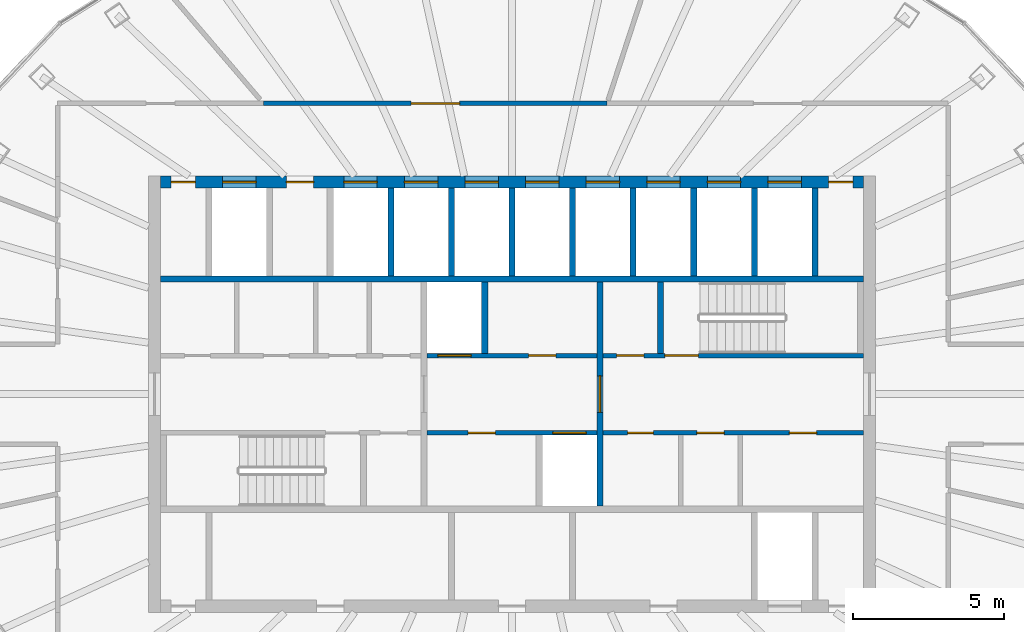
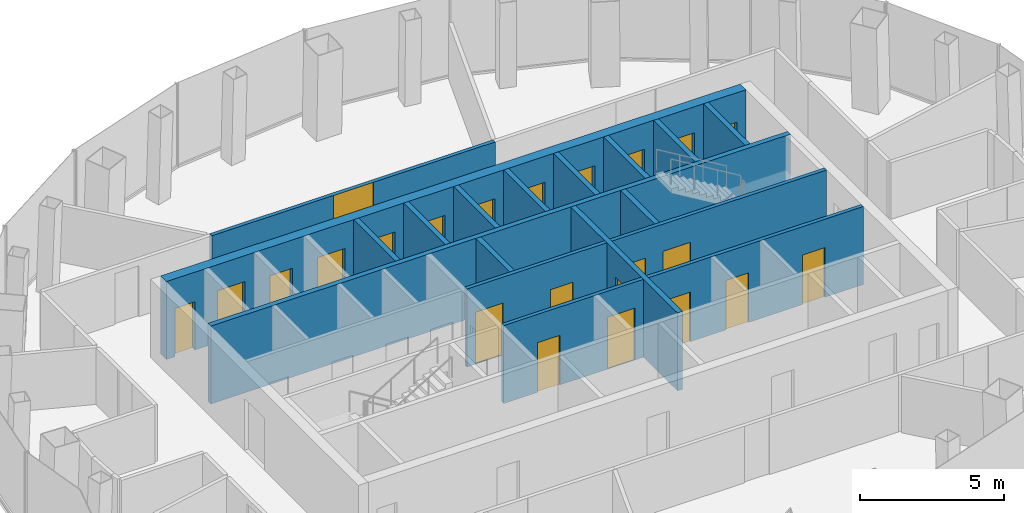
# One storey, part 9 of 11: 23 doors, 18 walls, 23 openings.
"""IFC4 building model written with IfcOpenShell, lengths in metres."""

import ifcopenshell
import ifcopenshell.guid

model = None  # the IFC model being written
_history = None  # IfcOwnerHistory: only IFC2X3 demands one
_inside = {}  # id of a spatial element -> (the spatial element, [elements in it])
_under = {}  # id of a project, library or spatial element -> (it, [spatial elements below it])
_declared = {}  # id of a project -> (the project, [libraries it declares])
_typed = {}  # id of a type object -> (the type object, [elements of that type])
_made_of = {}  # id of a material, layer set ... -> (it, [elements and type objects made of it])


def new_model(schema):
    """Start an empty IFC model of exactly this schema.

    Asked for "IFC4X3", IfcOpenShell would pick the latest addendum, in which some entities
    have other attributes; the version numbers below select the first issue.
    IFC2X3 requires an IfcOwnerHistory on every rooted entity: one is made here for all.
    """
    global model, _history
    if schema == "IFC4X3":
        model = ifcopenshell.file(schema_version=(4, 3, 0, 0))
    else:
        model = ifcopenshell.file(schema=schema)
    _inside.clear()
    _under.clear()
    _declared.clear()
    _typed.clear()
    _made_of.clear()
    _history = None
    if model.schema == "IFC2X3":
        org = make("IfcOrganization", Name="unknown")
        user = make(
            "IfcPersonAndOrganization",
            ThePerson=make("IfcPerson", FamilyName="unknown"),
            TheOrganization=org,
        )
        app = make(
            "IfcApplication",
            ApplicationDeveloper=org,
            Version="unknown",
            ApplicationFullName="unknown",
            ApplicationIdentifier="unknown",
        )
        _history = make(
            "IfcOwnerHistory",
            OwningUser=user,
            OwningApplication=app,
            ChangeAction="ADDED",
            CreationDate=0,
        )
    return model


def make(cls, **values):
    """One entity of the class cls with the attributes given. An attribute that is None is left unset."""
    return model.create_entity(
        cls, **{name: value for name, value in values.items() if value is not None}
    )


def rooted(cls, **values):
    """An entity with a GlobalId (a new one), such as an element, a storey or a relation."""
    return make(cls, GlobalId=ifcopenshell.guid.new(), OwnerHistory=_history, **values)


def si_unit(unit_type, name, prefix=None):
    """IfcSIUnit, for example si_unit("LENGTHUNIT", "METRE", prefix="MILLI")."""
    return make("IfcSIUnit", UnitType=unit_type, Prefix=prefix, Name=name)


def assignment(units):
    """IfcUnitAssignment: the units of a project."""
    return None if units is None else make("IfcUnitAssignment", Units=units)


def point(xyz):
    """IfcCartesianPoint."""
    return None if xyz is None else make("IfcCartesianPoint", Coordinates=xyz)


def direction(xyz):
    """IfcDirection."""
    return None if xyz is None else make("IfcDirection", DirectionRatios=xyz)


def frame(location, z_axis=None, x_axis=None):
    """IfcAxis2Placement3D, a coordinate frame: its origin and axes. An axis left out is left unset."""
    return make(
        "IfcAxis2Placement3D",
        Location=point(location),
        Axis=direction(z_axis),
        RefDirection=direction(x_axis),
    )


def frame_2d(location, x_axis=None):
    """IfcAxis2Placement2D, a coordinate frame in the plane: its origin and x axis."""
    return make(
        "IfcAxis2Placement2D", Location=point(location), RefDirection=direction(x_axis)
    )


def origin():
    """The frame at (0, 0, 0) with its axes left unset."""
    return frame((0.0, 0.0, 0.0))


def place(relative_to, where):
    """IfcLocalPlacement: puts the frame where relative to a parent placement (None: the world)."""
    return make(
        "IfcLocalPlacement", PlacementRelTo=relative_to, RelativePlacement=where
    )


def context(
    kind, dimensions, precision=None, world=None, true_north=None, identifier=None
):
    """IfcGeometricRepresentationContext, for example the 3D "Model" context."""
    return make(
        "IfcGeometricRepresentationContext",
        ContextIdentifier=identifier,
        ContextType=kind,
        CoordinateSpaceDimension=dimensions,
        Precision=precision,
        WorldCoordinateSystem=world,
        TrueNorth=true_north,
    )


def subcontext(parent, identifier, kind, view, scale=None):
    """IfcGeometricRepresentationSubContext, for example "Body" below "Model"."""
    return make(
        "IfcGeometricRepresentationSubContext",
        ContextIdentifier=identifier,
        ContextType=kind,
        ParentContext=parent,
        TargetScale=scale,
        TargetView=view,
    )


def project(units=None, contexts=None):
    """IfcProject with its units and contexts."""
    return rooted(
        "IfcProject",
        Name="project",
        RepresentationContexts=contexts,
        UnitsInContext=assignment(units),
    )


def spatial(cls, under=None, at=None, **own):
    """A site, building, storey or space (cls), placed at a placement, below another one or the project."""
    s = rooted(cls, ObjectPlacement=at, **own)
    if under is not None:
        _under.setdefault(under.id(), (under, []))[1].append(s)
    return s


def profile(cls, at=None, kind="AREA", **sizes):
    """A parametric profile (cls). Its sizes go by their IFC names, for example OverallWidth=200.0."""
    return make(cls, ProfileType=kind, Position=at, **sizes)


def rectangle(**sizes):
    """IfcRectangleProfileDef."""
    return profile("IfcRectangleProfileDef", **sizes)


def extrude(swept, where, along, depth):
    """IfcExtrudedAreaSolid: the profile swept, set in the frame where, extruded along a direction by depth."""
    return make(
        "IfcExtrudedAreaSolid",
        SweptArea=swept,
        Position=where,
        ExtrudedDirection=direction(along),
        Depth=depth,
    )


def shape(context_of_items, identifier, shape_type, items):
    """IfcShapeRepresentation: the items that make up one representation, for example the "Body"."""
    return make(
        "IfcShapeRepresentation",
        ContextOfItems=context_of_items,
        RepresentationIdentifier=identifier,
        RepresentationType=shape_type,
        Items=items,
    )


def material(Name=None, Category=None):
    """IfcMaterial."""
    return make("IfcMaterial", Name=Name, Category=Category)


def layer(
    of_material, thickness, ventilated=None, Name=None, Category=None, Priority=None
):
    """IfcMaterialLayer: one layer of a wall or slab, of a material (None: an air gap)."""
    return make(
        "IfcMaterialLayer",
        Material=of_material,
        LayerThickness=thickness,
        IsVentilated=ventilated,
        Name=Name,
        Category=Category,
        Priority=Priority,
    )


def layer_set(layers, Name=None):
    """IfcMaterialLayerSet."""
    return make("IfcMaterialLayerSet", MaterialLayers=layers, LayerSetName=Name)


def made_of(thing, what):
    """Note that an element or type object is made of a material, layer set ...; save() writes the relation."""
    if what is not None:
        _made_of.setdefault(what.id(), (what, []))[1].append(thing)
    return thing


def type_object(cls, material=None, **own):
    """A type object (cls), such as IfcWallType, which elements share."""
    return made_of(rooted(cls, **own), material)


def element(
    cls,
    number,
    at=None,
    inside=None,
    cuts=None,
    type_object=None,
    material=None,
    context=None,
    identifier="Body",
    shape_type=None,
    held_by="IfcProductDefinitionShape",
    body=None,
    shapes=None,
    **own,
):
    """One element of the class cls, such as IfcWall. Its Tag is "e" and its number.

    at: its placement. inside: the storey or other place that contains it. cuts: it is an
    opening in that element (IfcRelVoidsElement). A single representation is given by context,
    identifier, shape_type and body (its items); several are given by shapes. held_by: the class
    of the entity that holds the representations. save() writes the other relations.
    """
    e = rooted(cls, Tag="e%d" % number, ObjectPlacement=at, **own)
    if body is not None:
        shapes = [shape(context, identifier, shape_type, body)]
    if shapes is not None:
        e.Representation = make(held_by, Representations=shapes)
    if inside is not None:
        _inside.setdefault(inside.id(), (inside, []))[1].append(e)
    if cuts is not None:
        rooted(
            "IfcRelVoidsElement", RelatingBuildingElement=cuts, RelatedOpeningElement=e
        )
    if type_object is not None:
        _typed.setdefault(type_object.id(), (type_object, []))[1].append(e)
    return made_of(e, material)


def fill(opening, filler):
    """IfcRelFillsElement: the door or window that sits in an opening."""
    return rooted(
        "IfcRelFillsElement",
        RelatingOpeningElement=opening,
        RelatedBuildingElement=filler,
    )


def aggregate(whole, parts):
    """IfcRelAggregates: a whole, such as a stair, and the parts it consists of."""
    return rooted("IfcRelAggregates", RelatingObject=whole, RelatedObjects=parts)


def save(model, path):
    """Write the relations noted so far, then the file.

    IfcRelAggregates (storeys below a building ...), IfcRelContainedInSpatialStructure (elements
    in a storey), IfcRelDefinesByType, IfcRelAssociatesMaterial and IfcRelDeclares: one each for
    every whole, place, type object, material and project.
    """
    for whole, parts in _under.values():
        aggregate(whole, parts)
    for where, things in _inside.values():
        rooted(
            "IfcRelContainedInSpatialStructure",
            RelatedElements=things,
            RelatingStructure=where,
        )
    for kind, things in _typed.values():
        rooted("IfcRelDefinesByType", RelatedObjects=things, RelatingType=kind)
    for what, things in _made_of.values():
        rooted("IfcRelAssociatesMaterial", RelatedObjects=things, RelatingMaterial=what)
    for by, libraries in _declared.values():
        rooted("IfcRelDeclares", RelatingContext=by, RelatedDefinitions=libraries)
    model.write(path)


model = new_model("IFC4")

# Units and contexts
model_context = context("Model", 3, precision=1e-05, world=origin(), true_north=direction((0.0, 1.0)))
body_context = subcontext(model_context, "Body", "Model", "MODEL_VIEW")
ifc_project = project(units=[si_unit("LENGTHUNIT", "METRE"), si_unit("AREAUNIT", "SQUARE_METRE"), si_unit("VOLUMEUNIT", "CUBIC_METRE"), si_unit("PLANEANGLEUNIT", "RADIAN"), si_unit("MASSUNIT", "GRAM", prefix="KILO")], contexts=[model_context])

# Site, building, storey
site_placement = place(None, origin())
site = spatial("IfcSite", under=ifc_project, at=site_placement, CompositionType="ELEMENT")
building_placement = place(site_placement, origin())
building = spatial("IfcBuilding", under=site, at=building_placement, Name="Siaravel Broadcast Tower", CompositionType="ELEMENT")
storey_placement = place(building_placement, frame((0.0, 0.0, 246.699951171875)))
storey = spatial("IfcBuildingStorey", under=building, at=storey_placement, Name="L60", CompositionType="ELEMENT", Elevation=246.699951171875)

# Wall, openings, doors
ifc_material_1 = material(Name="Concrete C60/75", Category="concrete")
ifc_layer_1 = layer(ifc_material_1, 0.39990234375)
ifc_layer_set_1 = layer_set([ifc_layer_1], Name="Concrete C60/75")
wall_type_1 = type_object("IfcWallType", Name="Core wall 400", PredefinedType="SHEAR", material=ifc_layer_set_1)
wall_1_placement = place(storey_placement, frame((-11.60009765625, 7.0, 0.0), z_axis=(0.0, 0.0, 1.0), x_axis=(1.0, 0.0, 0.0)))
wall_1 = element("IfcWall", 1, at=wall_1_placement, inside=storey, type_object=wall_type_1, Name="L60 core wall ON", PredefinedType="SHEAR", context=body_context, shape_type="SweptSolid", body=[
    extrude(rectangle(XDim=23.2001953125, YDim=0.39990234375, at=frame_2d((11.60009765625, 0.0))), origin(), (0.0, 0.0, 1.0), 3.300048828125),
])
opening_1_placement = place(wall_1_placement, frame((2.050048828125, 0.0, 0.0)))
opening_1 = element("IfcOpeningElement", 2, at=opening_1_placement, cuts=wall_1, Name="Opening LD-SV2-L60", PredefinedType="OPENING", context=body_context, shape_type="SweptSolid", body=[
    extrude(rectangle(XDim=1.10009765625, YDim=2.199951171875, at=frame_2d((0.550048828125, 1.10009765625))), frame((0.0, 0.2099609375, 0.0), z_axis=(0.0, -1.0, 0.0), x_axis=(1.0, 0.0, 0.0)), (0.0, 0.0, 1.0), 0.419921875),
])
opening_2_placement = place(wall_1_placement, frame((6.050048828125, 0.0, 0.0)))
opening_2 = element("IfcOpeningElement", 3, at=opening_2_placement, cuts=wall_1, Name="Opening LD-HP1-L60", PredefinedType="OPENING", context=body_context, shape_type="SweptSolid", body=[
    extrude(rectangle(XDim=1.10009765625, YDim=2.199951171875, at=frame_2d((0.550048828125, 1.10009765625))), frame((0.0, 0.2099609375, 0.0), z_axis=(0.0, -1.0, 0.0), x_axis=(1.0, 0.0, 0.0)), (0.0, 0.0, 1.0), 0.419921875),
])
opening_3_placement = place(wall_1_placement, frame((8.050048828125, 0.0, 0.0)))
opening_3 = element("IfcOpeningElement", 4, at=opening_3_placement, cuts=wall_1, Name="Opening LD-HP2-L60", PredefinedType="OPENING", context=body_context, shape_type="SweptSolid", body=[
    extrude(rectangle(XDim=1.10009765625, YDim=2.199951171875, at=frame_2d((0.550048828125, 1.10009765625))), frame((0.0, 0.2099609375, 0.0), z_axis=(0.0, -1.0, 0.0), x_axis=(1.0, 0.0, 0.0)), (0.0, 0.0, 1.0), 0.419921875),
])
opening_4_placement = place(wall_1_placement, frame((10.050048828125, 0.0, 0.0)))
opening_4 = element("IfcOpeningElement", 5, at=opening_4_placement, cuts=wall_1, Name="Opening LD-HP3-L60", PredefinedType="OPENING", context=body_context, shape_type="SweptSolid", body=[
    extrude(rectangle(XDim=1.10009765625, YDim=2.199951171875, at=frame_2d((0.550048828125, 1.10009765625))), frame((0.0, 0.2099609375, 0.0), z_axis=(0.0, -1.0, 0.0), x_axis=(1.0, 0.0, 0.0)), (0.0, 0.0, 1.0), 0.419921875),
])
opening_5_placement = place(wall_1_placement, frame((12.050048828125, 0.0, 0.0)))
opening_5 = element("IfcOpeningElement", 6, at=opening_5_placement, cuts=wall_1, Name="Opening LD-HP4-L60", PredefinedType="OPENING", context=body_context, shape_type="SweptSolid", body=[
    extrude(rectangle(XDim=1.10009765625, YDim=2.199951171875, at=frame_2d((0.550048828125, 1.10009765625))), frame((0.0, 0.2099609375, 0.0), z_axis=(0.0, -1.0, 0.0), x_axis=(1.0, 0.0, 0.0)), (0.0, 0.0, 1.0), 0.419921875),
])
opening_6_placement = place(wall_1_placement, frame((14.050048828125, 0.0, 0.0)))
opening_6 = element("IfcOpeningElement", 7, at=opening_6_placement, cuts=wall_1, Name="Opening LD-HP5-L60", PredefinedType="OPENING", context=body_context, shape_type="SweptSolid", body=[
    extrude(rectangle(XDim=1.10009765625, YDim=2.199951171875, at=frame_2d((0.550048828125, 1.10009765625))), frame((0.0, 0.2099609375, 0.0), z_axis=(0.0, -1.0, 0.0), x_axis=(1.0, 0.0, 0.0)), (0.0, 0.0, 1.0), 0.419921875),
])
opening_7_placement = place(wall_1_placement, frame((16.050048828125, 0.0, 0.0)))
opening_7 = element("IfcOpeningElement", 8, at=opening_7_placement, cuts=wall_1, Name="Opening LD-HP6-L60", PredefinedType="OPENING", context=body_context, shape_type="SweptSolid", body=[
    extrude(rectangle(XDim=1.10009765625, YDim=2.199951171875, at=frame_2d((0.550048828125, 1.10009765625))), frame((0.0, 0.2099609375, 0.0), z_axis=(0.0, -1.0, 0.0), x_axis=(1.0, 0.0, 0.0)), (0.0, 0.0, 1.0), 0.419921875),
])
opening_8_placement = place(wall_1_placement, frame((18.050048828125, 0.0, 0.0)))
opening_8 = element("IfcOpeningElement", 9, at=opening_8_placement, cuts=wall_1, Name="Opening LD-HP7-L60", PredefinedType="OPENING", context=body_context, shape_type="SweptSolid", body=[
    extrude(rectangle(XDim=1.10009765625, YDim=2.199951171875, at=frame_2d((0.550048828125, 1.10009765625))), frame((0.0, 0.2099609375, 0.0), z_axis=(0.0, -1.0, 0.0), x_axis=(1.0, 0.0, 0.0)), (0.0, 0.0, 1.0), 0.419921875),
])
opening_9_placement = place(wall_1_placement, frame((20.050048828125, 0.0, 0.0)))
opening_9 = element("IfcOpeningElement", 10, at=opening_9_placement, cuts=wall_1, Name="Opening LD-HP8-L60", PredefinedType="OPENING", context=body_context, shape_type="SweptSolid", body=[
    extrude(rectangle(XDim=1.10009765625, YDim=2.199951171875, at=frame_2d((0.550048828125, 1.10009765625))), frame((0.0, 0.2099609375, 0.0), z_axis=(0.0, -1.0, 0.0), x_axis=(1.0, 0.0, 0.0)), (0.0, 0.0, 1.0), 0.419921875),
])
opening_10_placement = place(wall_1_placement, frame((4.14990234375, 0.0, 0.0)))
opening_10 = element("IfcOpeningElement", 11, at=opening_10_placement, cuts=wall_1, Name="Opening L60-DFN1", PredefinedType="OPENING", context=body_context, shape_type="SweptSolid", body=[
    extrude(rectangle(XDim=0.89990234375, YDim=2.10009765625, at=frame_2d((0.449951171875, 1.050048828125))), frame((0.0, 0.2099609375, 0.0), z_axis=(0.0, -1.0, 0.0), x_axis=(1.0, 0.0, 0.0)), (0.0, 0.0, 1.0), 0.419921875),
])
opening_11_placement = place(wall_1_placement, frame((0.35009765625, 0.0, 0.0)))
opening_11 = element("IfcOpeningElement", 12, at=opening_11_placement, cuts=wall_1, Name="Opening L60-DRNW", PredefinedType="OPENING", context=body_context, shape_type="SweptSolid", body=[
    extrude(rectangle(XDim=0.800048828125, YDim=2.050048828125, at=frame_2d((0.39990234375, 1.02490234375))), frame((0.0, 0.2099609375, 0.0), z_axis=(0.0, -1.0, 0.0), x_axis=(1.0, 0.0, 0.0)), (0.0, 0.0, 1.0), 0.419921875),
])
opening_12_placement = place(wall_1_placement, frame((22.050048828125, 0.0, 0.0)))
opening_12 = element("IfcOpeningElement", 13, at=opening_12_placement, cuts=wall_1, Name="Opening L60-DRNE", PredefinedType="OPENING", context=body_context, shape_type="SweptSolid", body=[
    extrude(rectangle(XDim=0.800048828125, YDim=2.050048828125, at=frame_2d((0.39990234375, 1.02490234375))), frame((0.0, 0.2099609375, 0.0), z_axis=(0.0, -1.0, 0.0), x_axis=(1.0, 0.0, 0.0)), (0.0, 0.0, 1.0), 0.419921875),
])
ifc_material_2 = material(Name="Timber veneer", Category="wood")
door_type_1 = type_object("IfcDoorType", Name="Core room door 900", OperationType="SINGLE_SWING_LEFT", PredefinedType="DOOR", material=ifc_material_2)
door_1_placement = place(opening_10_placement, origin())
door_1 = element("IfcDoor", 14, at=door_1_placement, inside=storey, type_object=door_type_1, Name="L60 door DFN1", OperationType="SINGLE_SWING_LEFT", OverallHeight=2.10009765625, OverallWidth=0.89990234375, PredefinedType="DOOR", context=body_context, shape_type="SweptSolid", body=[
    extrude(rectangle(XDim=0.89990234375, YDim=2.10009765625, at=frame_2d((0.449951171875, 1.050048828125))), frame((0.0, 0.02490234375, 0.0), z_axis=(0.0, -1.0, 0.0), x_axis=(1.0, 0.0, 0.0)), (0.0, 0.0, 1.0), 0.050048828125),
])
fill(opening_10, door_1)
ifc_material_3 = material(Name="Stainless steel 316L", Category="steel")
door_type_2 = type_object("IfcDoorType", Name="Lift landing door 1100", OperationType="DOUBLE_DOOR_SLIDING", PredefinedType="DOOR", material=ifc_material_3)
door_2_placement = place(opening_2_placement, origin())
door_2 = element("IfcDoor", 15, at=door_2_placement, inside=storey, type_object=door_type_2, Name="Landing door HP1 L60", OperationType="DOUBLE_DOOR_SLIDING", OverallHeight=2.199951171875, OverallWidth=1.10009765625, PredefinedType="DOOR", context=body_context, shape_type="SweptSolid", body=[
    extrude(rectangle(XDim=1.10009765625, YDim=2.199951171875, at=frame_2d((0.550048828125, 1.10009765625))), frame((0.0, 0.02490234375, 0.0), z_axis=(0.0, -1.0, 0.0), x_axis=(1.0, 0.0, 0.0)), (0.0, 0.0, 1.0), 0.050048828125),
])
fill(opening_2, door_2)
door_3_placement = place(opening_3_placement, origin())
door_3 = element("IfcDoor", 16, at=door_3_placement, inside=storey, type_object=door_type_2, Name="Landing door HP2 L60", OperationType="DOUBLE_DOOR_SLIDING", OverallHeight=2.199951171875, OverallWidth=1.10009765625, PredefinedType="DOOR", context=body_context, shape_type="SweptSolid", body=[
    extrude(rectangle(XDim=1.10009765625, YDim=2.199951171875, at=frame_2d((0.550048828125, 1.10009765625))), frame((0.0, 0.02490234375, 0.0), z_axis=(0.0, -1.0, 0.0), x_axis=(1.0, 0.0, 0.0)), (0.0, 0.0, 1.0), 0.050048828125),
])
fill(opening_3, door_3)
door_4_placement = place(opening_4_placement, origin())
door_4 = element("IfcDoor", 17, at=door_4_placement, inside=storey, type_object=door_type_2, Name="Landing door HP3 L60", OperationType="DOUBLE_DOOR_SLIDING", OverallHeight=2.199951171875, OverallWidth=1.10009765625, PredefinedType="DOOR", context=body_context, shape_type="SweptSolid", body=[
    extrude(rectangle(XDim=1.10009765625, YDim=2.199951171875, at=frame_2d((0.550048828125, 1.10009765625))), frame((0.0, 0.02490234375, 0.0), z_axis=(0.0, -1.0, 0.0), x_axis=(1.0, 0.0, 0.0)), (0.0, 0.0, 1.0), 0.050048828125),
])
fill(opening_4, door_4)
door_5_placement = place(opening_5_placement, origin())
door_5 = element("IfcDoor", 18, at=door_5_placement, inside=storey, type_object=door_type_2, Name="Landing door HP4 L60", OperationType="DOUBLE_DOOR_SLIDING", OverallHeight=2.199951171875, OverallWidth=1.10009765625, PredefinedType="DOOR", context=body_context, shape_type="SweptSolid", body=[
    extrude(rectangle(XDim=1.10009765625, YDim=2.199951171875, at=frame_2d((0.550048828125, 1.10009765625))), frame((0.0, 0.02490234375, 0.0), z_axis=(0.0, -1.0, 0.0), x_axis=(1.0, 0.0, 0.0)), (0.0, 0.0, 1.0), 0.050048828125),
])
fill(opening_5, door_5)
door_6_placement = place(opening_6_placement, origin())
door_6 = element("IfcDoor", 19, at=door_6_placement, inside=storey, type_object=door_type_2, Name="Landing door HP5 L60", OperationType="DOUBLE_DOOR_SLIDING", OverallHeight=2.199951171875, OverallWidth=1.10009765625, PredefinedType="DOOR", context=body_context, shape_type="SweptSolid", body=[
    extrude(rectangle(XDim=1.10009765625, YDim=2.199951171875, at=frame_2d((0.550048828125, 1.10009765625))), frame((0.0, 0.02490234375, 0.0), z_axis=(0.0, -1.0, 0.0), x_axis=(1.0, 0.0, 0.0)), (0.0, 0.0, 1.0), 0.050048828125),
])
fill(opening_6, door_6)
door_7_placement = place(opening_7_placement, origin())
door_7 = element("IfcDoor", 20, at=door_7_placement, inside=storey, type_object=door_type_2, Name="Landing door HP6 L60", OperationType="DOUBLE_DOOR_SLIDING", OverallHeight=2.199951171875, OverallWidth=1.10009765625, PredefinedType="DOOR", context=body_context, shape_type="SweptSolid", body=[
    extrude(rectangle(XDim=1.10009765625, YDim=2.199951171875, at=frame_2d((0.550048828125, 1.10009765625))), frame((0.0, 0.02490234375, 0.0), z_axis=(0.0, -1.0, 0.0), x_axis=(1.0, 0.0, 0.0)), (0.0, 0.0, 1.0), 0.050048828125),
])
fill(opening_7, door_7)
door_8_placement = place(opening_8_placement, origin())
door_8 = element("IfcDoor", 21, at=door_8_placement, inside=storey, type_object=door_type_2, Name="Landing door HP7 L60", OperationType="DOUBLE_DOOR_SLIDING", OverallHeight=2.199951171875, OverallWidth=1.10009765625, PredefinedType="DOOR", context=body_context, shape_type="SweptSolid", body=[
    extrude(rectangle(XDim=1.10009765625, YDim=2.199951171875, at=frame_2d((0.550048828125, 1.10009765625))), frame((0.0, 0.02490234375, 0.0), z_axis=(0.0, -1.0, 0.0), x_axis=(1.0, 0.0, 0.0)), (0.0, 0.0, 1.0), 0.050048828125),
])
fill(opening_8, door_8)
door_9_placement = place(opening_9_placement, origin())
door_9 = element("IfcDoor", 22, at=door_9_placement, inside=storey, type_object=door_type_2, Name="Landing door HP8 L60", OperationType="DOUBLE_DOOR_SLIDING", OverallHeight=2.199951171875, OverallWidth=1.10009765625, PredefinedType="DOOR", context=body_context, shape_type="SweptSolid", body=[
    extrude(rectangle(XDim=1.10009765625, YDim=2.199951171875, at=frame_2d((0.550048828125, 1.10009765625))), frame((0.0, 0.02490234375, 0.0), z_axis=(0.0, -1.0, 0.0), x_axis=(1.0, 0.0, 0.0)), (0.0, 0.0, 1.0), 0.050048828125),
])
fill(opening_9, door_9)
ifc_material_4 = material(Name="Steel", Category="steel")
door_type_3 = type_object("IfcDoorType", Name="Riser door 800", OperationType="SINGLE_SWING_LEFT", PredefinedType="DOOR", material=ifc_material_4)
door_10_placement = place(opening_11_placement, origin())
door_10 = element("IfcDoor", 23, at=door_10_placement, inside=storey, type_object=door_type_3, Name="L60 door DRNW", OperationType="SINGLE_SWING_LEFT", OverallHeight=2.050048828125, OverallWidth=0.800048828125, PredefinedType="DOOR", context=body_context, shape_type="SweptSolid", body=[
    extrude(rectangle(XDim=0.800048828125, YDim=2.050048828125, at=frame_2d((0.39990234375, 1.02490234375))), frame((0.0, 0.02490234375, 0.0), z_axis=(0.0, -1.0, 0.0), x_axis=(1.0, 0.0, 0.0)), (0.0, 0.0, 1.0), 0.050048828125),
])
fill(opening_11, door_10)
door_11_placement = place(opening_12_placement, origin())
door_11 = element("IfcDoor", 24, at=door_11_placement, inside=storey, type_object=door_type_3, Name="L60 door DRNE", OperationType="SINGLE_SWING_LEFT", OverallHeight=2.050048828125, OverallWidth=0.800048828125, PredefinedType="DOOR", context=body_context, shape_type="SweptSolid", body=[
    extrude(rectangle(XDim=0.800048828125, YDim=2.050048828125, at=frame_2d((0.39990234375, 1.02490234375))), frame((0.0, 0.02490234375, 0.0), z_axis=(0.0, -1.0, 0.0), x_axis=(1.0, 0.0, 0.0)), (0.0, 0.0, 1.0), 0.050048828125),
])
fill(opening_12, door_11)
door_type_4 = type_object("IfcDoorType", Name="Service lift landing door 1100", OperationType="DOUBLE_DOOR_SLIDING", PredefinedType="DOOR", material=ifc_material_3)
door_12_placement = place(opening_1_placement, origin())
door_12 = element("IfcDoor", 25, at=door_12_placement, inside=storey, type_object=door_type_4, Name="Landing door SV2 L60", OperationType="DOUBLE_DOOR_SLIDING", OverallHeight=2.199951171875, OverallWidth=1.10009765625, PredefinedType="DOOR", context=body_context, shape_type="SweptSolid", body=[
    extrude(rectangle(XDim=1.10009765625, YDim=2.199951171875, at=frame_2d((0.550048828125, 1.10009765625))), frame((0.0, 0.02490234375, 0.0), z_axis=(0.0, -1.0, 0.0), x_axis=(1.0, 0.0, 0.0)), (0.0, 0.0, 1.0), 0.050048828125),
])
fill(opening_1, door_12)

ifc_material_5 = material(Name="Gypsum board partition", Category="gypsum")
ifc_layer_2 = layer(ifc_material_5, 0.14990234375)
ifc_layer_set_2 = layer_set([ifc_layer_2], Name="Gypsum board partition")
wall_type_2 = type_object("IfcWallType", Name="Corridor wall 150", PredefinedType="PARTITIONING", material=ifc_layer_set_2)
wall_2_placement = place(storey_placement, frame((3.0, -1.27490234375, 0.0), z_axis=(0.0, 0.0, 1.0), x_axis=(1.0, 0.0, 0.0)))
wall_2 = element("IfcWall", 26, at=wall_2_placement, inside=storey, type_object=wall_type_2, Name="L60 core partition CSE", PredefinedType="PARTITIONING", context=body_context, shape_type="SweptSolid", body=[
    extrude(rectangle(XDim=8.60009765625, YDim=0.14990234375, at=frame_2d((4.300048828125, 0.0))), origin(), (0.0, 0.0, 1.0), 3.300048828125),
])
opening_13_placement = place(wall_2_placement, frame((0.820068359375, 0.0, 0.0)))
opening_13 = element("IfcOpeningElement", 27, at=opening_13_placement, cuts=wall_2, Name="Opening L60-DSE0", PredefinedType="OPENING", context=body_context, shape_type="SweptSolid", body=[
    extrude(rectangle(XDim=0.85009765625, YDim=2.10009765625, at=frame_2d((0.425048828125, 1.050048828125))), frame((0.0, 0.0849609375, 0.0), z_axis=(0.0, -1.0, 0.0), x_axis=(1.0, 0.0, 0.0)), (0.0, 0.0, 1.0), 0.169921875),
])
opening_14_placement = place(wall_2_placement, frame((3.10302734375, 0.0, 0.0)))
opening_14 = element("IfcOpeningElement", 28, at=opening_14_placement, cuts=wall_2, Name="Opening L60-DSE1", PredefinedType="OPENING", context=body_context, shape_type="SweptSolid", body=[
    extrude(rectangle(XDim=0.89990234375, YDim=2.10009765625, at=frame_2d((0.449951171875, 1.050048828125))), frame((0.0, 0.0849609375, 0.0), z_axis=(0.0, -1.0, 0.0), x_axis=(1.0, 0.0, 0.0)), (0.0, 0.0, 1.0), 0.169921875),
])
opening_15_placement = place(wall_2_placement, frame((6.157958984375, 0.0, 0.0)))
opening_15 = element("IfcOpeningElement", 29, at=opening_15_placement, cuts=wall_2, Name="Opening L60-DSE2", PredefinedType="OPENING", context=body_context, shape_type="SweptSolid", body=[
    extrude(rectangle(XDim=0.89990234375, YDim=2.10009765625, at=frame_2d((0.449951171875, 1.050048828125))), frame((0.0, 0.0849609375, 0.0), z_axis=(0.0, -1.0, 0.0), x_axis=(1.0, 0.0, 0.0)), (0.0, 0.0, 1.0), 0.169921875),
])
door_13_placement = place(opening_14_placement, origin())
door_13 = element("IfcDoor", 30, at=door_13_placement, inside=storey, type_object=door_type_1, Name="L60 door DSE1", OperationType="SINGLE_SWING_LEFT", OverallHeight=2.10009765625, OverallWidth=0.89990234375, PredefinedType="DOOR", context=body_context, shape_type="SweptSolid", body=[
    extrude(rectangle(XDim=0.89990234375, YDim=2.10009765625, at=frame_2d((0.449951171875, 1.050048828125))), frame((0.0, 0.02490234375, 0.0), z_axis=(0.0, -1.0, 0.0), x_axis=(1.0, 0.0, 0.0)), (0.0, 0.0, 1.0), 0.050048828125),
])
fill(opening_14, door_13)
door_14_placement = place(opening_15_placement, origin())
door_14 = element("IfcDoor", 31, at=door_14_placement, inside=storey, type_object=door_type_1, Name="L60 door DSE2", OperationType="SINGLE_SWING_LEFT", OverallHeight=2.10009765625, OverallWidth=0.89990234375, PredefinedType="DOOR", context=body_context, shape_type="SweptSolid", body=[
    extrude(rectangle(XDim=0.89990234375, YDim=2.10009765625, at=frame_2d((0.449951171875, 1.050048828125))), frame((0.0, 0.02490234375, 0.0), z_axis=(0.0, -1.0, 0.0), x_axis=(1.0, 0.0, 0.0)), (0.0, 0.0, 1.0), 0.050048828125),
])
fill(opening_15, door_14)
door_type_5 = type_object("IfcDoorType", Name="Core toilet door 850", OperationType="SINGLE_SWING_LEFT", PredefinedType="DOOR", material=ifc_material_2)
door_15_placement = place(opening_13_placement, origin())
door_15 = element("IfcDoor", 32, at=door_15_placement, inside=storey, type_object=door_type_5, Name="L60 door DSE0", OperationType="SINGLE_SWING_LEFT", OverallHeight=2.10009765625, OverallWidth=0.85009765625, PredefinedType="DOOR", context=body_context, shape_type="SweptSolid", body=[
    extrude(rectangle(XDim=0.85009765625, YDim=2.10009765625, at=frame_2d((0.425048828125, 1.050048828125))), frame((0.0, 0.02490234375, 0.0), z_axis=(0.0, -1.0, 0.0), x_axis=(1.0, 0.0, 0.0)), (0.0, 0.0, 1.0), 0.050048828125),
])
fill(opening_13, door_15)

# Wall, opening, door
wall_3_placement = place(storey_placement, frame((3.140380859375, 9.60009765625, 0.0), z_axis=(0.0, 0.0, 1.0), x_axis=(-1.0, 0.0, 0.0)))
wall_3 = element("IfcWall", 33, at=wall_3_placement, inside=storey, type_object=wall_type_2, Name="L60 partition 2", PredefinedType="PARTITIONING", context=body_context, shape_type="SweptSolid", body=[
    extrude(rectangle(XDim=11.346923828125, YDim=0.14990234375, at=frame_2d((5.67333984375, 0.0))), origin(), (0.0, 0.0, 1.0), 2.400146484375),
])
opening_16_placement = place(wall_3_placement, frame((4.873291015625, 0.0, 0.0)))
opening_16 = element("IfcOpeningElement", 34, at=opening_16_placement, cuts=wall_3, Name="Opening L60-008", PredefinedType="OPENING", context=body_context, shape_type="SweptSolid", body=[
    extrude(rectangle(XDim=1.60009765625, YDim=2.39990234375, at=frame_2d((0.800048828125, 1.199951171875))), frame((0.0, 0.0849609375, 0.0), z_axis=(0.0, -1.0, 0.0), x_axis=(1.0, 0.0, 0.0)), (0.0, 0.0, 1.0), 0.169921875),
])
door_type_6 = type_object("IfcDoorType", Name="Restaurant double door 1600", OperationType="DOUBLE_DOOR_SINGLE_SWING", PredefinedType="DOOR", material=ifc_material_2)
door_16_placement = place(opening_16_placement, origin())
door_16 = element("IfcDoor", 35, at=door_16_placement, inside=storey, type_object=door_type_6, Name="L60 door to Restaurant", OperationType="DOUBLE_DOOR_SINGLE_SWING", OverallHeight=2.39990234375, OverallWidth=1.60009765625, PredefinedType="DOOR", context=body_context, shape_type="SweptSolid", body=[
    extrude(rectangle(XDim=1.60009765625, YDim=2.39990234375, at=frame_2d((0.800048828125, 1.199951171875))), frame((0.0, 0.02490234375, 0.0), z_axis=(0.0, -1.0, 0.0), x_axis=(1.0, 0.0, 0.0)), (0.0, 0.0, 1.0), 0.050048828125),
])
fill(opening_16, door_16)

# Wall, openings, doors
ifc_layer_3 = layer(ifc_material_1, 0.14990234375)
ifc_layer_set_3 = layer_set([ifc_layer_3], Name="Concrete C60/75")
wall_type_3 = type_object("IfcWallType", Name="Shaft wall 150", PredefinedType="SHEAR", material=ifc_layer_set_3)
wall_4_placement = place(storey_placement, frame((-2.800048828125, -1.27490234375, 0.0), z_axis=(0.0, 0.0, 1.0), x_axis=(1.0, 0.0, 0.0)))
wall_4 = element("IfcWall", 36, at=wall_4_placement, inside=storey, type_object=wall_type_3, Name="L60 core wall CSM", PredefinedType="SHEAR", context=body_context, shape_type="SweptSolid", body=[
    extrude(rectangle(XDim=5.60009765625, YDim=0.14990234375, at=frame_2d((2.800048828125, 0.0))), origin(), (0.0, 0.0, 1.0), 3.300048828125),
])
opening_17_placement = place(wall_4_placement, frame((4.14990234375, 0.0, 0.0)))
opening_17 = element("IfcOpeningElement", 37, at=opening_17_placement, cuts=wall_4, Name="Opening LD-FL2-L60", PredefinedType="OPENING", context=body_context, shape_type="SweptSolid", body=[
    extrude(rectangle(XDim=1.10009765625, YDim=2.199951171875, at=frame_2d((0.550048828125, 1.10009765625))), frame((0.0, 0.0849609375, 0.0), z_axis=(0.0, -1.0, 0.0), x_axis=(1.0, 0.0, 0.0)), (0.0, 0.0, 1.0), 0.169921875),
])
opening_18_placement = place(wall_4_placement, frame((1.35009765625, 0.0, 0.0)))
opening_18 = element("IfcOpeningElement", 38, at=opening_18_placement, cuts=wall_4, Name="Opening L60-DSM0", PredefinedType="OPENING", context=body_context, shape_type="SweptSolid", body=[
    extrude(rectangle(XDim=0.89990234375, YDim=2.10009765625, at=frame_2d((0.449951171875, 1.050048828125))), frame((0.0, 0.0849609375, 0.0), z_axis=(0.0, -1.0, 0.0), x_axis=(1.0, 0.0, 0.0)), (0.0, 0.0, 1.0), 0.169921875),
])
door_17_placement = place(opening_18_placement, origin())
door_17 = element("IfcDoor", 39, at=door_17_placement, inside=storey, type_object=door_type_1, Name="L60 door DSM0", OperationType="SINGLE_SWING_LEFT", OverallHeight=2.10009765625, OverallWidth=0.89990234375, PredefinedType="DOOR", context=body_context, shape_type="SweptSolid", body=[
    extrude(rectangle(XDim=0.89990234375, YDim=2.10009765625, at=frame_2d((0.449951171875, 1.050048828125))), frame((0.0, 0.02490234375, 0.0), z_axis=(0.0, -1.0, 0.0), x_axis=(1.0, 0.0, 0.0)), (0.0, 0.0, 1.0), 0.050048828125),
])
fill(opening_18, door_17)
door_type_7 = type_object("IfcDoorType", Name="Firefighting lift landing door 1100", OperationType="DOUBLE_DOOR_SLIDING", PredefinedType="DOOR", material=ifc_material_3)
door_18_placement = place(opening_17_placement, origin())
door_18 = element("IfcDoor", 40, at=door_18_placement, inside=storey, type_object=door_type_7, Name="Landing door FL2 L60", OperationType="DOUBLE_DOOR_SLIDING", OverallHeight=2.199951171875, OverallWidth=1.10009765625, PredefinedType="DOOR", context=body_context, shape_type="SweptSolid", body=[
    extrude(rectangle(XDim=1.10009765625, YDim=2.199951171875, at=frame_2d((0.550048828125, 1.10009765625))), frame((0.0, 0.02490234375, 0.0), z_axis=(0.0, -1.0, 0.0), x_axis=(1.0, 0.0, 0.0)), (0.0, 0.0, 1.0), 0.050048828125),
])
fill(opening_17, door_18)

wall_5_placement = place(storey_placement, frame((-2.800048828125, 1.27490234375, 0.0), z_axis=(0.0, 0.0, 1.0), x_axis=(1.0, 0.0, 0.0)))
wall_5 = element("IfcWall", 41, at=wall_5_placement, inside=storey, type_object=wall_type_3, Name="L60 core wall CNM", PredefinedType="SHEAR", context=body_context, shape_type="SweptSolid", body=[
    extrude(rectangle(XDim=5.60009765625, YDim=0.14990234375, at=frame_2d((2.800048828125, 0.0))), origin(), (0.0, 0.0, 1.0), 3.300048828125),
])
opening_19_placement = place(wall_5_placement, frame((0.35009765625, 0.0, 0.0)))
opening_19 = element("IfcOpeningElement", 42, at=opening_19_placement, cuts=wall_5, Name="Opening LD-FL1-L60", PredefinedType="OPENING", context=body_context, shape_type="SweptSolid", body=[
    extrude(rectangle(XDim=1.10009765625, YDim=2.199951171875, at=frame_2d((0.550048828125, 1.10009765625))), frame((0.0, 0.0849609375, 0.0), z_axis=(0.0, -1.0, 0.0), x_axis=(1.0, 0.0, 0.0)), (0.0, 0.0, 1.0), 0.169921875),
])
opening_20_placement = place(wall_5_placement, frame((3.35009765625, 0.0, 0.0)))
opening_20 = element("IfcOpeningElement", 43, at=opening_20_placement, cuts=wall_5, Name="Opening L60-DNM0", PredefinedType="OPENING", context=body_context, shape_type="SweptSolid", body=[
    extrude(rectangle(XDim=0.89990234375, YDim=2.10009765625, at=frame_2d((0.449951171875, 1.050048828125))), frame((0.0, 0.0849609375, 0.0), z_axis=(0.0, -1.0, 0.0), x_axis=(1.0, 0.0, 0.0)), (0.0, 0.0, 1.0), 0.169921875),
])
door_19_placement = place(opening_20_placement, origin())
door_19 = element("IfcDoor", 44, at=door_19_placement, inside=storey, type_object=door_type_1, Name="L60 door DNM0", OperationType="SINGLE_SWING_LEFT", OverallHeight=2.10009765625, OverallWidth=0.89990234375, PredefinedType="DOOR", context=body_context, shape_type="SweptSolid", body=[
    extrude(rectangle(XDim=0.89990234375, YDim=2.10009765625, at=frame_2d((0.449951171875, 1.050048828125))), frame((0.0, 0.02490234375, 0.0), z_axis=(0.0, -1.0, 0.0), x_axis=(1.0, 0.0, 0.0)), (0.0, 0.0, 1.0), 0.050048828125),
])
fill(opening_20, door_19)
door_20_placement = place(opening_19_placement, origin())
door_20 = element("IfcDoor", 45, at=door_20_placement, inside=storey, type_object=door_type_7, Name="Landing door FL1 L60", OperationType="DOUBLE_DOOR_SLIDING", OverallHeight=2.199951171875, OverallWidth=1.10009765625, PredefinedType="DOOR", context=body_context, shape_type="SweptSolid", body=[
    extrude(rectangle(XDim=1.10009765625, YDim=2.199951171875, at=frame_2d((0.550048828125, 1.10009765625))), frame((0.0, 0.02490234375, 0.0), z_axis=(0.0, -1.0, 0.0), x_axis=(1.0, 0.0, 0.0)), (0.0, 0.0, 1.0), 0.050048828125),
])
fill(opening_19, door_20)

wall_6_placement = place(storey_placement, frame((3.0, 1.27490234375, 0.0), z_axis=(0.0, 0.0, 1.0), x_axis=(1.0, 0.0, 0.0)))
wall_6 = element("IfcWall", 46, at=wall_6_placement, inside=storey, type_object=wall_type_3, Name="L60 core wall CNE", PredefinedType="SHEAR", context=body_context, shape_type="SweptSolid", body=[
    extrude(rectangle(XDim=8.60009765625, YDim=0.14990234375, at=frame_2d((4.300048828125, 0.0))), origin(), (0.0, 0.0, 1.0), 3.300048828125),
])
opening_21_placement = place(wall_6_placement, frame((2.050048828125, 0.0, 0.0)))
opening_21 = element("IfcOpeningElement", 47, at=opening_21_placement, cuts=wall_6, Name="Opening L60-DS-2", PredefinedType="OPENING", context=body_context, shape_type="SweptSolid", body=[
    extrude(rectangle(XDim=1.10009765625, YDim=2.14990234375, at=frame_2d((0.550048828125, 1.074951171875))), frame((0.0, 0.0849609375, 0.0), z_axis=(0.0, -1.0, 0.0), x_axis=(1.0, 0.0, 0.0)), (0.0, 0.0, 1.0), 0.169921875),
])
opening_22_placement = place(wall_6_placement, frame((0.449951171875, 0.0, 0.0)))
opening_22 = element("IfcOpeningElement", 48, at=opening_22_placement, cuts=wall_6, Name="Opening L60-DNE0", PredefinedType="OPENING", context=body_context, shape_type="SweptSolid", body=[
    extrude(rectangle(XDim=0.89990234375, YDim=2.10009765625, at=frame_2d((0.449951171875, 1.050048828125))), frame((0.0, 0.0849609375, 0.0), z_axis=(0.0, -1.0, 0.0), x_axis=(1.0, 0.0, 0.0)), (0.0, 0.0, 1.0), 0.169921875),
])
door_21_placement = place(opening_22_placement, origin())
door_21 = element("IfcDoor", 49, at=door_21_placement, inside=storey, type_object=door_type_1, Name="L60 door DNE0", OperationType="SINGLE_SWING_LEFT", OverallHeight=2.10009765625, OverallWidth=0.89990234375, PredefinedType="DOOR", context=body_context, shape_type="SweptSolid", body=[
    extrude(rectangle(XDim=0.89990234375, YDim=2.10009765625, at=frame_2d((0.449951171875, 1.050048828125))), frame((0.0, 0.02490234375, 0.0), z_axis=(0.0, -1.0, 0.0), x_axis=(1.0, 0.0, 0.0)), (0.0, 0.0, 1.0), 0.050048828125),
])
fill(opening_22, door_21)
door_type_8 = type_object("IfcDoorType", Name="Stair door 1100", OperationType="SINGLE_SWING_LEFT", PredefinedType="DOOR", material=ifc_material_4)
door_22_placement = place(opening_21_placement, origin())
door_22 = element("IfcDoor", 50, at=door_22_placement, inside=storey, type_object=door_type_8, Name="L60 door DS-2", OperationType="SINGLE_SWING_LEFT", OverallHeight=2.14990234375, OverallWidth=1.10009765625, PredefinedType="DOOR", context=body_context, shape_type="SweptSolid", body=[
    extrude(rectangle(XDim=1.10009765625, YDim=2.14990234375, at=frame_2d((0.550048828125, 1.074951171875))), frame((0.0, 0.02490234375, 0.0), z_axis=(0.0, -1.0, 0.0), x_axis=(1.0, 0.0, 0.0)), (0.0, 0.0, 1.0), 0.050048828125),
])
fill(opening_21, door_22)

# Walls
ifc_layer_4 = layer(ifc_material_1, 0.199951171875)
ifc_layer_set_4 = layer_set([ifc_layer_4], Name="Concrete C60/75")
wall_type_4 = type_object("IfcWallType", Name="Shaft wall 200", PredefinedType="SHEAR", material=ifc_layer_set_4)
wall_7_placement = place(storey_placement, frame((-11.60009765625, 3.800048828125, 0.0), z_axis=(0.0, 0.0, 1.0), x_axis=(1.0, 0.0, 0.0)))
element("IfcWall", 51, at=wall_7_placement, inside=storey, type_object=wall_type_4, Name="L60 core wall BN", PredefinedType="SHEAR", context=body_context, shape_type="SweptSolid", body=[
    extrude(rectangle(XDim=23.2001953125, YDim=0.199951171875, at=frame_2d((11.60009765625, 0.0))), origin(), (0.0, 0.0, 1.0), 3.300048828125),
])
for number, where, z_axis, x_axis, name in (
    (52, (-4.0, 3.89990234375, 0.0), (0.0, 0.0, 1.0), (0.0, 1.0, 0.0), "L60 core wall SWN3"),
    (53, (-2.0, 3.89990234375, 0.0), (0.0, 0.0, 1.0), (0.0, 1.0, 0.0), "L60 core wall SWN4"),
    (54, (0.0, 3.89990234375, 0.0), (0.0, 0.0, 1.0), (0.0, 1.0, 0.0), "L60 core wall SWN5"),
    (55, (2.0, 3.89990234375, 0.0), (0.0, 0.0, 1.0), (0.0, 1.0, 0.0), "L60 core wall SWN6"),
    (56, (4.0, 3.89990234375, 0.0), (0.0, 0.0, 1.0), (0.0, 1.0, 0.0), "L60 core wall SWN7"),
    (57, (6.0, 3.89990234375, 0.0), (0.0, 0.0, 1.0), (0.0, 1.0, 0.0), "L60 core wall SWN8"),
    (58, (8.0, 3.89990234375, 0.0), (0.0, 0.0, 1.0), (0.0, 1.0, 0.0), "L60 core wall SWN9"),
    (59, (10.0, 3.89990234375, 0.0), (0.0, 0.0, 1.0), (0.0, 1.0, 0.0), "L60 core wall SWN10"),
):
    element("IfcWall", number, at=place(storey_placement, frame(where, z_axis=z_axis, x_axis=x_axis)), inside=storey, type_object=wall_type_4, Name=name, PredefinedType="SHEAR", context=body_context, shape_type="SweptSolid", body=[
        extrude(rectangle(XDim=2.900146484375, YDim=0.199951171875, at=frame_2d((1.4501953125, 0.0))), origin(), (0.0, 0.0, 1.0), 3.300048828125),
    ])

# Wall, opening, door
wall_8_placement = place(storey_placement, frame((2.89990234375, -3.699951171875, 0.0), z_axis=(0.0, 0.0, 1.0), x_axis=(0.0, 1.0, 0.0)))
wall_8 = element("IfcWall", 60, at=wall_8_placement, inside=storey, type_object=wall_type_4, Name="L60 core wall LE", PredefinedType="SHEAR", context=body_context, shape_type="SweptSolid", body=[
    extrude(rectangle(XDim=7.39990234375, YDim=0.199951171875, at=frame_2d((3.699951171875, 0.0))), origin(), (0.0, 0.0, 1.0), 3.300048828125),
])
opening_23_placement = place(wall_8_placement, frame((3.10009765625, 0.0, 0.0)))
opening_23 = element("IfcOpeningElement", 61, at=opening_23_placement, cuts=wall_8, Name="Opening L60-DL-E", PredefinedType="OPENING", context=body_context, shape_type="SweptSolid", body=[
    extrude(rectangle(XDim=1.199951171875, YDim=2.199951171875, at=frame_2d((0.60009765625, 1.10009765625))), frame((0.0, 0.10986328125, 0.0), z_axis=(0.0, -1.0, 0.0), x_axis=(1.0, 0.0, 0.0)), (0.0, 0.0, 1.0), 0.219970703125),
])
door_type_9 = type_object("IfcDoorType", Name="Firefighting lobby door 1200", OperationType="SINGLE_SWING_LEFT", PredefinedType="DOOR", material=ifc_material_4)
door_23_placement = place(opening_23_placement, origin())
door_23 = element("IfcDoor", 62, at=door_23_placement, inside=storey, type_object=door_type_9, Name="L60 door DL-E", OperationType="SINGLE_SWING_LEFT", OverallHeight=2.199951171875, OverallWidth=1.199951171875, PredefinedType="DOOR", context=body_context, shape_type="SweptSolid", body=[
    extrude(rectangle(XDim=1.199951171875, YDim=2.199951171875, at=frame_2d((0.60009765625, 1.10009765625))), frame((0.0, 0.02490234375, 0.0), z_axis=(0.0, -1.0, 0.0), x_axis=(1.0, 0.0, 0.0)), (0.0, 0.0, 1.0), 0.050048828125),
])
fill(opening_23, door_23)

# Walls
for number, where, z_axis, x_axis, name in (
    (63, (-0.89990234375, 1.35009765625, 0.0), (0.0, 0.0, 1.0), (0.0, 1.0, 0.0), "L60 core wall FF1E"),
    (64, (4.89990234375, 1.35009765625, 0.0), (0.0, 0.0, 1.0), (0.0, 1.0, 0.0), "L60 core wall ST2W"),
):
    element("IfcWall", number, at=place(storey_placement, frame(where, z_axis=z_axis, x_axis=x_axis)), inside=storey, type_object=wall_type_4, Name=name, PredefinedType="SHEAR", context=body_context, shape_type="SweptSolid", body=[
        extrude(rectangle(XDim=2.349853515625, YDim=0.199951171875, at=frame_2d((1.1748046875, 0.0))), origin(), (0.0, 0.0, 1.0), 3.300048828125),
    ])

save(model, "model.ifc")
